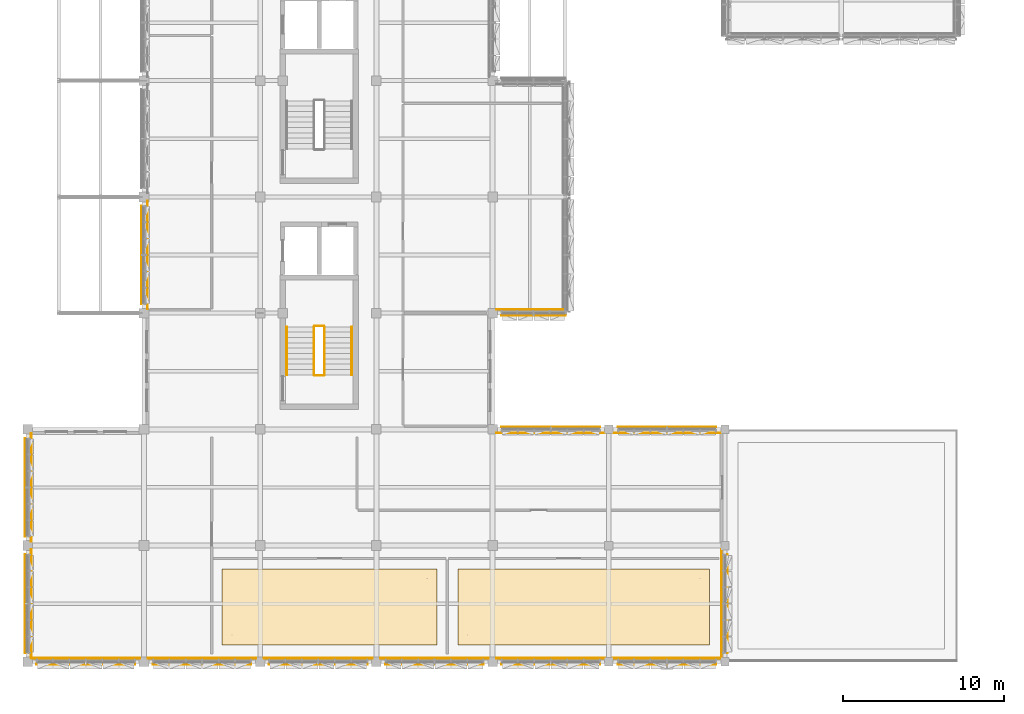
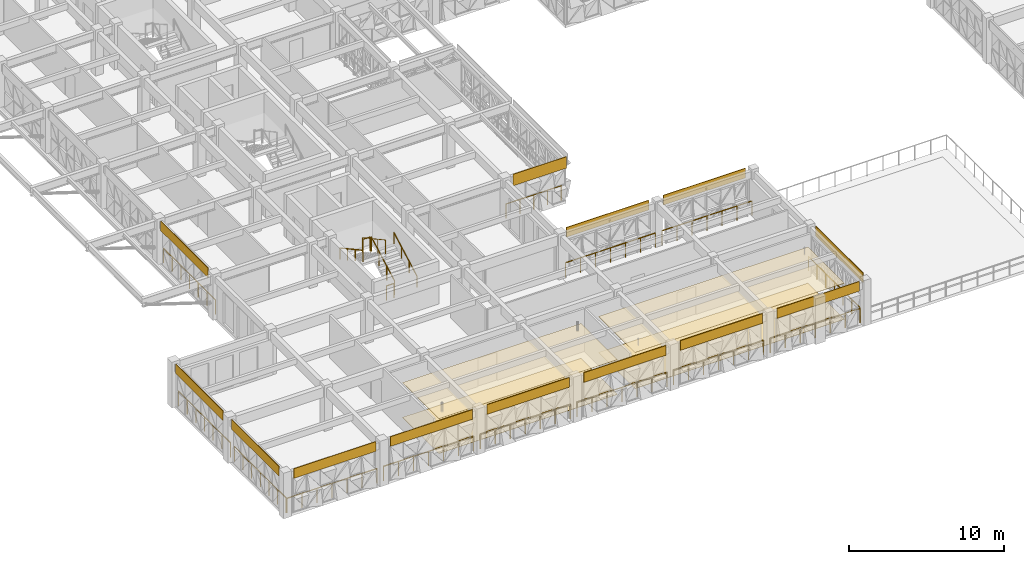
# One storey, part 78 of 99: 19 railings, 17 coverings.
"""IFC4 building model written with IfcOpenShell, lengths in metres."""

from ifc_helpers import new_model, si_unit, direction, frame, origin, origin_2d, place, context, subcontext, project, spatial, polyline, circle, outline, extrude, material, layer, layer_set, type_object, element, save


model = new_model("IFC4")

# Units and contexts
model_context = context("Model", 3, precision=1e-05, world=origin(), true_north=direction((0.0, 1.0)))
body_context = subcontext(model_context, "Body", "Model", "MODEL_VIEW")
ifc_project = project(units=[si_unit("LENGTHUNIT", "METRE"), si_unit("AREAUNIT", "SQUARE_METRE"), si_unit("VOLUMEUNIT", "CUBIC_METRE"), si_unit("PLANEANGLEUNIT", "RADIAN"), si_unit("MASSUNIT", "GRAM", prefix="KILO")], contexts=[model_context])

# Site, building, storey
site_placement = place(None, origin())
site = spatial("IfcSite", under=ifc_project, at=site_placement, CompositionType="ELEMENT")
building_placement = place(site_placement, origin())
building = spatial("IfcBuilding", under=site, at=building_placement, Name="Alvorim Cloister Faculty of Sciences", CompositionType="ELEMENT")
storey_placement = place(building_placement, frame((0.0, 0.0, 12.14990234375)))
storey = spatial("IfcBuildingStorey", under=building, at=storey_placement, Name="L03", CompositionType="ELEMENT", Elevation=12.14990234375)

# Coverings
ifc_material_1 = material(Name="Perforated Timber Acoustic Ceiling", Category="wood")
ifc_layer_1 = layer(ifc_material_1, 0.030029296875)
ifc_layer_set_1 = layer_set([ifc_layer_1], Name="Perforated Timber Acoustic Ceiling")
covering_type_1 = type_object("IfcCoveringType", Name="COV-CEIL-ACOUSTIC", PredefinedType="CEILING", material=ifc_layer_set_1)
covering_1_placement = place(storey_placement, frame((0.0, 0.0, 2.72998046875)))
element("IfcCovering", 1, at=covering_1_placement, inside=storey, type_object=covering_type_1, Name="X-Ray Diffraction Suite Acoustic Ceiling", PredefinedType="CEILING", context=body_context, shape_type="SweptSolid", body=[
    extrude(outline(polyline([(12.050048828125, 1.050048828125), (25.35009765625, 1.050048828125), (25.35009765625, 5.75), (12.050048828125, 5.75), (12.050048828125, 1.050048828125)])), origin(), (0.0, 0.0, 1.0), 0.030029296875),
])
covering_2_placement = place(storey_placement, frame((0.0, 0.0, 2.830078125)))
element("IfcCovering", 2, at=covering_2_placement, inside=storey, type_object=covering_type_1, Name="Polymer Science Laboratory Acoustic Ceiling", PredefinedType="CEILING", context=body_context, shape_type="SweptSolid", body=[
    extrude(outline(polyline([(26.64990234375, 1.050048828125), (42.25, 1.050048828125), (42.25, 5.75), (26.64990234375, 5.75), (26.64990234375, 1.050048828125)])), origin(), (0.0, 0.0, 1.0), 0.030029296875),
])
ifc_material_2 = material(Name="Anodised Aluminium Alloy 6063-T6", Category="aluminium")
ifc_layer_2 = layer(ifc_material_2, 0.031982421875)
ifc_layer_set_2 = layer_set([ifc_layer_2], Name="Anodised Aluminium Alloy 6063-T6")
covering_type_2 = type_object("IfcCoveringType", Name="COV-FAC-CAS", PredefinedType="CLADDING", material=ifc_layer_set_2)
covering_3_placement = place(storey_placement, frame((7.050048828125, 22.139892578125, 2.830078125), z_axis=(0.0, 0.0, 1.0), x_axis=(0.0, 1.0, 0.0)))
element("IfcCovering", 3, at=covering_3_placement, inside=storey, type_object=covering_type_2, Name="L03 Shifted Bar Slab-Edge Architectural Fascia", PredefinedType="CLADDING", context=body_context, shape_type="SweptSolid", body=[
    extrude(outline(polyline([(0.0, 0.0), (6.1201171875, 0.0), (6.1201171875, 0.760009765625), (0.0, 0.760009765625), (0.0, 0.0)])), frame((0.0, 0.0224609375, 0.0), z_axis=(0.0, -1.0, 0.0), x_axis=(1.0, 0.0, 0.0)), (0.0, 0.0, 1.0), 0.044921875),
])
covering_4_placement = place(storey_placement, frame((29.340087890625, 21.449951171875, 2.68603515625), z_axis=(0.0, 0.0, 1.0), x_axis=(1.0, 0.0, 0.0)))
element("IfcCovering", 4, at=covering_4_placement, inside=storey, type_object=covering_type_2, Name="L03 Shifted Bar Slab-Edge Architectural Fascia", PredefinedType="CLADDING", context=body_context, shape_type="SweptSolid", body=[
    extrude(outline(polyline([(0.0, 0.0), (3.97998046875, 0.0), (3.97998046875, 0.904052734375), (0.0, 0.904052734375), (0.0, 0.0)])), frame((0.0, 0.0224609375, 0.0), z_axis=(0.0, -1.0, 0.0), x_axis=(1.0, 0.0, 0.0)), (0.0, 0.0, 1.0), 0.044921875),
])
for number, where, z_axis, x_axis, name in (
    (5, (29.340087890625, 14.550048828125, 2.830078125), (0.0, 0.0, 1.0), (1.0, 0.0, 0.0), "L03 Shifted Bar Slab-Edge Architectural Fascia"),
    (6, (36.5400390625, 14.550048828125, 2.830078125), (0.0, 0.0, 1.0), (1.0, 0.0, 0.0), "L03 Shifted Bar Slab-Edge Architectural Fascia"),
    (7, (43.35009765625, 0.5400390625, 2.830078125), (0.0, 0.0, 1.0), (0.0, 1.0, 0.0), "L03 Shifted Bar Slab-Edge Architectural Fascia"),
    (8, (36.5400390625, -0.14990234375, 2.830078125), (0.0, 0.0, 1.0), (1.0, 0.0, 0.0), "L03 Shifted Bar Slab-Edge Architectural Fascia"),
    (9, (29.340087890625, -0.14990234375, 2.830078125), (0.0, 0.0, 1.0), (1.0, 0.0, 0.0), "L03 Shifted Bar Slab-Edge Architectural Fascia"),
    (10, (22.139892578125, -0.14990234375, 2.830078125), (0.0, 0.0, 1.0), (1.0, 0.0, 0.0), "L03 Shifted Bar Slab-Edge Architectural Fascia"),
    (11, (14.93994140625, -0.14990234375, 2.830078125), (0.0, 0.0, 1.0), (1.0, 0.0, 0.0), "L03 Shifted Bar Slab-Edge Architectural Fascia"),
    (12, (7.739990234375, -0.14990234375, 2.830078125), (0.0, 0.0, 1.0), (1.0, 0.0, 0.0), "L03 Shifted Bar Slab-Edge Architectural Fascia"),
    (13, (0.5400390625, -0.14990234375, 2.830078125), (0.0, 0.0, 1.0), (1.0, 0.0, 0.0), "L03 Shifted Bar Slab-Edge Architectural Fascia"),
    (14, (-0.14990234375, 0.5400390625, 2.830078125), (0.0, 0.0, 1.0), (0.0, 1.0, 0.0), "L03 Shifted Bar Slab-Edge Architectural Fascia"),
    (15, (-0.14990234375, 7.739990234375, 2.830078125), (0.0, 0.0, 1.0), (0.0, 1.0, 0.0), "L03 Shifted Bar Slab-Edge Architectural Fascia"),
):
    element("IfcCovering", number, at=place(storey_placement, frame(where, z_axis=z_axis, x_axis=x_axis)), inside=storey, type_object=covering_type_2, Name=name, PredefinedType="CLADDING", context=body_context, shape_type="SweptSolid", body=[
        extrude(outline(polyline([(0.0, 0.0), (6.1201171875, 0.0), (6.1201171875, 0.760009765625), (0.0, 0.760009765625), (0.0, 0.0)])), frame((0.0, 0.0224609375, 0.0), z_axis=(0.0, -1.0, 0.0), x_axis=(1.0, 0.0, 0.0)), (0.0, 0.0, 1.0), 0.044921875),
    ])
ifc_material_3 = material(Name="Chemical-Resistant Sheet Flooring", Category="polymer")
ifc_layer_3 = layer(ifc_material_3, 0.02001953125)
ifc_layer_set_3 = layer_set([ifc_layer_3], Name="Chemical-Resistant Sheet Flooring")
covering_type_3 = type_object("IfcCoveringType", Name="COV-FLR-LAB", PredefinedType="FLOORING", material=ifc_layer_set_3)
covering_5_placement = place(storey_placement, origin())
element("IfcCovering", 16, at=covering_5_placement, inside=storey, type_object=covering_type_3, Name="X-Ray Diffraction Suite Floor Finish", PredefinedType="FLOORING", context=body_context, shape_type="SweptSolid", body=[
    extrude(outline(polyline([(12.050048828125, 1.050048828125), (25.35009765625, 1.050048828125), (25.35009765625, 5.75), (12.050048828125, 5.75), (12.050048828125, 1.050048828125)])), origin(), (0.0, 0.0, 1.0), 0.02001953125),
])
covering_6_placement = place(storey_placement, origin())
element("IfcCovering", 17, at=covering_6_placement, inside=storey, type_object=covering_type_3, Name="Polymer Science Laboratory Floor Finish", PredefinedType="FLOORING", context=body_context, shape_type="SweptSolid", body=[
    extrude(outline(polyline([(26.64990234375, 1.050048828125), (42.25, 1.050048828125), (42.25, 5.75), (26.64990234375, 5.75), (26.64990234375, 1.050048828125)])), origin(), (0.0, 0.0, 1.0), 0.02001953125),
])

# Railings
ifc_material_4 = material(Name="Laminated Safety Glass and Bronze", Category="glass")
railing_type_1 = type_object("IfcRailingType", Name="RL-ATR-BAL-1150", PredefinedType="BALUSTRADE", material=ifc_material_4)
railing_1_placement = place(storey_placement, frame((7.419921875, 21.85009765625, 0.0)))
element("IfcRailing", 18, at=railing_1_placement, inside=storey, type_object=railing_type_1, Name="L03 Curtain Wall Sill Guard BL-94", PredefinedType="BALUSTRADE", context=body_context, shape_type="SweptSolid", body=[
    extrude(circle(Radius=0.02392578125, at=origin_2d()), frame((0.0, 0.0, 1.1259765625), z_axis=(0.0, 1.0, 0.0), x_axis=(-1.0, 0.0, 0.0)), (0.0, 0.0, 1.0), 6.699951171875),
    extrude(circle(Radius=0.02099609375, at=origin_2d()), origin(), (0.0, 0.0, 1.0), 1.101806640625),
    extrude(circle(Radius=0.02099609375, at=origin_2d()), frame((0.0, 1.11669921875, 0.0)), (0.0, 0.0, 1.0), 1.101806640625),
    extrude(circle(Radius=0.02099609375, at=origin_2d()), frame((0.0, 2.2333984375, 0.0)), (0.0, 0.0, 1.0), 1.101806640625),
    extrude(circle(Radius=0.02099609375, at=origin_2d()), frame((0.0, 3.35009765625, 0.0)), (0.0, 0.0, 1.0), 1.101806640625),
    extrude(circle(Radius=0.02099609375, at=origin_2d()), frame((0.0, 4.466552734375, 0.0)), (0.0, 0.0, 1.0), 1.101806640625),
    extrude(circle(Radius=0.02099609375, at=origin_2d()), frame((0.0, 5.583251953125, 0.0)), (0.0, 0.0, 1.0), 1.101806640625),
    extrude(circle(Radius=0.02099609375, at=origin_2d()), frame((0.0, 6.699951171875, 0.0)), (0.0, 0.0, 1.0), 1.101806640625),
])
railing_2_placement = place(storey_placement, frame((29.050048828125, 21.820068359375, 0.0)))
element("IfcRailing", 19, at=railing_2_placement, inside=storey, type_object=railing_type_1, Name="L03 Curtain Wall Sill Guard BL-137", PredefinedType="BALUSTRADE", context=body_context, shape_type="SweptSolid", body=[
    extrude(circle(Radius=0.02392578125, at=origin_2d()), frame((0.0, 0.0, 1.1259765625), z_axis=(1.0, 0.0, 0.0), x_axis=(0.0, 1.0, 0.0)), (0.0, 0.0, 1.0), 4.099853515625),
    extrude(circle(Radius=0.02099609375, at=origin_2d()), origin(), (0.0, 0.0, 1.0), 1.101806640625),
    extrude(circle(Radius=0.02099609375, at=origin_2d()), frame((1.02490234375, 0.0, 0.0)), (0.0, 0.0, 1.0), 1.101806640625),
    extrude(circle(Radius=0.02099609375, at=origin_2d()), frame((2.0498046875, 0.0, 0.0)), (0.0, 0.0, 1.0), 1.101806640625),
    extrude(circle(Radius=0.02099609375, at=origin_2d()), frame((3.074951171875, 0.0, 0.0)), (0.0, 0.0, 1.0), 1.101806640625),
    extrude(circle(Radius=0.02099609375, at=origin_2d()), frame((4.099853515625, 0.0, 0.0)), (0.0, 0.0, 1.0), 1.101806640625),
])
for number, where, name in (
    (20, (29.050048828125, 14.179931640625, 0.0), "L03 Curtain Wall Sill Guard BL-138"),
    (21, (36.25, 14.179931640625, 0.0), "L03 Curtain Wall Sill Guard BL-139"),
):
    element("IfcRailing", number, at=place(storey_placement, frame(where)), inside=storey, type_object=railing_type_1, Name=name, PredefinedType="BALUSTRADE", context=body_context, shape_type="SweptSolid", body=[
        extrude(circle(Radius=0.02392578125, at=origin_2d()), frame((0.0, 0.0, 1.1259765625), z_axis=(1.0, 0.0, 0.0), x_axis=(0.0, 1.0, 0.0)), (0.0, 0.0, 1.0), 6.699951171875),
        extrude(circle(Radius=0.02099609375, at=origin_2d()), origin(), (0.0, 0.0, 1.0), 1.101806640625),
        extrude(circle(Radius=0.02099609375, at=origin_2d()), frame((1.11669921875, 0.0, 0.0)), (0.0, 0.0, 1.0), 1.101806640625),
        extrude(circle(Radius=0.02099609375, at=origin_2d()), frame((2.2333984375, 0.0, 0.0)), (0.0, 0.0, 1.0), 1.101806640625),
        extrude(circle(Radius=0.02099609375, at=origin_2d()), frame((3.35009765625, 0.0, 0.0)), (0.0, 0.0, 1.0), 1.101806640625),
        extrude(circle(Radius=0.02099609375, at=origin_2d()), frame((4.466552734375, 0.0, 0.0)), (0.0, 0.0, 1.0), 1.101806640625),
        extrude(circle(Radius=0.02099609375, at=origin_2d()), frame((5.583251953125, 0.0, 0.0)), (0.0, 0.0, 1.0), 1.101806640625),
        extrude(circle(Radius=0.02099609375, at=origin_2d()), frame((6.699951171875, 0.0, 0.0)), (0.0, 0.0, 1.0), 1.101806640625),
    ])
railing_3_placement = place(storey_placement, frame((42.97998046875, 0.25, 0.0)))
element("IfcRailing", 22, at=railing_3_placement, inside=storey, type_object=railing_type_1, Name="L03 Curtain Wall Sill Guard BL-140", PredefinedType="BALUSTRADE", context=body_context, shape_type="SweptSolid", body=[
    extrude(circle(Radius=0.02392578125, at=origin_2d()), frame((0.0, 0.0, 1.1259765625), z_axis=(0.0, 1.0, 0.0), x_axis=(-1.0, 0.0, 0.0)), (0.0, 0.0, 1.0), 6.699951171875),
    extrude(circle(Radius=0.02099609375, at=origin_2d()), origin(), (0.0, 0.0, 1.0), 1.101806640625),
    extrude(circle(Radius=0.02099609375, at=origin_2d()), frame((0.0, 1.11669921875, 0.0)), (0.0, 0.0, 1.0), 1.101806640625),
    extrude(circle(Radius=0.02099609375, at=origin_2d()), frame((0.0, 2.2333984375, 0.0)), (0.0, 0.0, 1.0), 1.101806640625),
    extrude(circle(Radius=0.02099609375, at=origin_2d()), frame((0.0, 3.35009765625, 0.0)), (0.0, 0.0, 1.0), 1.101806640625),
    extrude(circle(Radius=0.02099609375, at=origin_2d()), frame((0.0, 4.466552734375, 0.0)), (0.0, 0.0, 1.0), 1.101806640625),
    extrude(circle(Radius=0.02099609375, at=origin_2d()), frame((0.0, 5.583251953125, 0.0)), (0.0, 0.0, 1.0), 1.101806640625),
    extrude(circle(Radius=0.02099609375, at=origin_2d()), frame((0.0, 6.699951171875, 0.0)), (0.0, 0.0, 1.0), 1.101806640625),
])
for number, where, name in (
    (23, (36.25, 0.219970703125, 0.0), "L03 Curtain Wall Sill Guard BL-141"),
    (24, (29.050048828125, 0.219970703125, 0.0), "L03 Curtain Wall Sill Guard BL-142"),
    (25, (21.85009765625, 0.219970703125, 0.0), "L03 Curtain Wall Sill Guard BL-143"),
):
    element("IfcRailing", number, at=place(storey_placement, frame(where)), inside=storey, type_object=railing_type_1, Name=name, PredefinedType="BALUSTRADE", context=body_context, shape_type="SweptSolid", body=[
        extrude(circle(Radius=0.02392578125, at=origin_2d()), frame((0.0, 0.0, 1.1259765625), z_axis=(1.0, 0.0, 0.0), x_axis=(0.0, 1.0, 0.0)), (0.0, 0.0, 1.0), 6.699951171875),
        extrude(circle(Radius=0.02099609375, at=origin_2d()), origin(), (0.0, 0.0, 1.0), 1.101806640625),
        extrude(circle(Radius=0.02099609375, at=origin_2d()), frame((1.11669921875, 0.0, 0.0)), (0.0, 0.0, 1.0), 1.101806640625),
        extrude(circle(Radius=0.02099609375, at=origin_2d()), frame((2.2333984375, 0.0, 0.0)), (0.0, 0.0, 1.0), 1.101806640625),
        extrude(circle(Radius=0.02099609375, at=origin_2d()), frame((3.35009765625, 0.0, 0.0)), (0.0, 0.0, 1.0), 1.101806640625),
        extrude(circle(Radius=0.02099609375, at=origin_2d()), frame((4.466552734375, 0.0, 0.0)), (0.0, 0.0, 1.0), 1.101806640625),
        extrude(circle(Radius=0.02099609375, at=origin_2d()), frame((5.583251953125, 0.0, 0.0)), (0.0, 0.0, 1.0), 1.101806640625),
        extrude(circle(Radius=0.02099609375, at=origin_2d()), frame((6.699951171875, 0.0, 0.0)), (0.0, 0.0, 1.0), 1.101806640625),
    ])
railing_4_placement = place(storey_placement, frame((14.64990234375, 0.219970703125, 0.0)))
element("IfcRailing", 26, at=railing_4_placement, inside=storey, type_object=railing_type_1, Name="L03 Curtain Wall Sill Guard BL-144", PredefinedType="BALUSTRADE", context=body_context, shape_type="SweptSolid", body=[
    extrude(circle(Radius=0.02392578125, at=origin_2d()), frame((0.0, 0.0, 1.1259765625), z_axis=(1.0, 0.0, 0.0), x_axis=(0.0, 1.0, 0.0)), (0.0, 0.0, 1.0), 6.7001953125),
    extrude(circle(Radius=0.02099609375, at=origin_2d()), origin(), (0.0, 0.0, 1.0), 1.101806640625),
    extrude(circle(Radius=0.02099609375, at=origin_2d()), frame((1.11669921875, 0.0, 0.0)), (0.0, 0.0, 1.0), 1.101806640625),
    extrude(circle(Radius=0.02099609375, at=origin_2d()), frame((2.2333984375, 0.0, 0.0)), (0.0, 0.0, 1.0), 1.101806640625),
    extrude(circle(Radius=0.02099609375, at=origin_2d()), frame((3.35009765625, 0.0, 0.0)), (0.0, 0.0, 1.0), 1.101806640625),
    extrude(circle(Radius=0.02099609375, at=origin_2d()), frame((4.466796875, 0.0, 0.0)), (0.0, 0.0, 1.0), 1.101806640625),
    extrude(circle(Radius=0.02099609375, at=origin_2d()), frame((5.58349609375, 0.0, 0.0)), (0.0, 0.0, 1.0), 1.101806640625),
    extrude(circle(Radius=0.02099609375, at=origin_2d()), frame((6.7001953125, 0.0, 0.0)), (0.0, 0.0, 1.0), 1.101806640625),
])
for number, where, name in (
    (27, (7.449951171875, 0.219970703125, 0.0), "L03 Curtain Wall Sill Guard BL-145"),
    (28, (0.25, 0.219970703125, 0.0), "L03 Curtain Wall Sill Guard BL-146"),
):
    element("IfcRailing", number, at=place(storey_placement, frame(where)), inside=storey, type_object=railing_type_1, Name=name, PredefinedType="BALUSTRADE", context=body_context, shape_type="SweptSolid", body=[
        extrude(circle(Radius=0.02392578125, at=origin_2d()), frame((0.0, 0.0, 1.1259765625), z_axis=(1.0, 0.0, 0.0), x_axis=(0.0, 1.0, 0.0)), (0.0, 0.0, 1.0), 6.699951171875),
        extrude(circle(Radius=0.02099609375, at=origin_2d()), origin(), (0.0, 0.0, 1.0), 1.101806640625),
        extrude(circle(Radius=0.02099609375, at=origin_2d()), frame((1.11669921875, 0.0, 0.0)), (0.0, 0.0, 1.0), 1.101806640625),
        extrude(circle(Radius=0.02099609375, at=origin_2d()), frame((2.2333984375, 0.0, 0.0)), (0.0, 0.0, 1.0), 1.101806640625),
        extrude(circle(Radius=0.02099609375, at=origin_2d()), frame((3.35009765625, 0.0, 0.0)), (0.0, 0.0, 1.0), 1.101806640625),
        extrude(circle(Radius=0.02099609375, at=origin_2d()), frame((4.466552734375, 0.0, 0.0)), (0.0, 0.0, 1.0), 1.101806640625),
        extrude(circle(Radius=0.02099609375, at=origin_2d()), frame((5.583251953125, 0.0, 0.0)), (0.0, 0.0, 1.0), 1.101806640625),
        extrude(circle(Radius=0.02099609375, at=origin_2d()), frame((6.699951171875, 0.0, 0.0)), (0.0, 0.0, 1.0), 1.101806640625),
    ])
for number, where, name in (
    (29, (0.219970703125, 0.25, 0.0), "L03 Curtain Wall Sill Guard BL-147"),
    (30, (0.219970703125, 7.449951171875, 0.0), "L03 Curtain Wall Sill Guard BL-148"),
):
    element("IfcRailing", number, at=place(storey_placement, frame(where)), inside=storey, type_object=railing_type_1, Name=name, PredefinedType="BALUSTRADE", context=body_context, shape_type="SweptSolid", body=[
        extrude(circle(Radius=0.02392578125, at=origin_2d()), frame((0.0, 0.0, 1.1259765625), z_axis=(0.0, 1.0, 0.0), x_axis=(-1.0, 0.0, 0.0)), (0.0, 0.0, 1.0), 6.699951171875),
        extrude(circle(Radius=0.02099609375, at=origin_2d()), origin(), (0.0, 0.0, 1.0), 1.101806640625),
        extrude(circle(Radius=0.02099609375, at=origin_2d()), frame((0.0, 1.11669921875, 0.0)), (0.0, 0.0, 1.0), 1.101806640625),
        extrude(circle(Radius=0.02099609375, at=origin_2d()), frame((0.0, 2.2333984375, 0.0)), (0.0, 0.0, 1.0), 1.101806640625),
        extrude(circle(Radius=0.02099609375, at=origin_2d()), frame((0.0, 3.35009765625, 0.0)), (0.0, 0.0, 1.0), 1.101806640625),
        extrude(circle(Radius=0.02099609375, at=origin_2d()), frame((0.0, 4.466552734375, 0.0)), (0.0, 0.0, 1.0), 1.101806640625),
        extrude(circle(Radius=0.02099609375, at=origin_2d()), frame((0.0, 5.583251953125, 0.0)), (0.0, 0.0, 1.0), 1.101806640625),
        extrude(circle(Radius=0.02099609375, at=origin_2d()), frame((0.0, 6.699951171875, 0.0)), (0.0, 0.0, 1.0), 1.101806640625),
    ])
ifc_material_5 = material(Name="Galvanised Painted Steel", Category="steel")
railing_type_2 = type_object("IfcRailingType", Name="RL-STR-GUARD", PredefinedType="GUARDRAIL", material=ifc_material_5)
railing_5_placement = place(storey_placement, frame((18.389892578125, 17.780029296875, 0.18017578125)))
element("IfcRailing", 31, at=railing_5_placement, inside=storey, type_object=railing_type_2, Name="L03 ST-01 stair guard 1", PredefinedType="GUARDRAIL", context=body_context, shape_type="SweptSolid", body=[
    extrude(circle(Radius=0.02392578125, at=origin_2d()), frame((0.0, 0.0, 1.09619140625), z_axis=(0.0, 0.877909362389, 0.478826849112), x_axis=(-1.0, 0.0, 0.0)), (0.0, 0.0, 1.0), 3.383056640625),
    extrude(circle(Radius=0.02099609375, at=origin_2d()), origin(), (0.0, 0.0, 1.0), 1.072021484375),
    extrude(circle(Radius=0.02099609375, at=origin_2d()), frame((0.0, 0.989990234375, 0.5400390625)), (0.0, 0.0, 1.0), 1.072021484375),
    extrude(circle(Radius=0.02099609375, at=origin_2d()), frame((0.0, 1.97998046875, 1.079833984375)), (0.0, 0.0, 1.0), 1.072021484375),
    extrude(circle(Radius=0.02099609375, at=origin_2d()), frame((0.0, 2.969970703125, 1.619873046875)), (0.0, 0.0, 1.0), 1.072021484375),
])
railing_6_placement = place(storey_placement, frame((18.340087890625, 20.800048828125, 1.800048828125)))
element("IfcRailing", 32, at=railing_6_placement, inside=storey, type_object=railing_type_2, Name="L03 ST-01 stair guard 2", PredefinedType="GUARDRAIL", context=body_context, shape_type="SweptSolid", body=[
    extrude(circle(Radius=0.02392578125, at=origin_2d()), frame((0.0, 0.0, 1.09619140625), z_axis=(-1.0, 0.0, 0.0), x_axis=(0.0, -1.0, 0.0)), (0.0, 0.0, 1.0), 0.56005859375),
    extrude(circle(Radius=0.02099609375, at=origin_2d()), origin(), (0.0, 0.0, 1.0), 1.072021484375),
    extrude(circle(Radius=0.02099609375, at=origin_2d()), frame((-0.56005859375, 0.0, 0.0)), (0.0, 0.0, 1.0), 1.072021484375),
])
railing_7_placement = place(storey_placement, frame((17.72998046875, 20.75, 1.97998046875)))
element("IfcRailing", 33, at=railing_7_placement, inside=storey, type_object=railing_type_2, Name="L03 ST-01 stair guard 3", PredefinedType="GUARDRAIL", context=body_context, shape_type="SweptSolid", body=[
    extrude(circle(Radius=0.02392578125, at=origin_2d()), frame((0.0, 0.0, 1.09619140625), z_axis=(0.0, -0.877879025156, 0.47888246699), x_axis=(1.0, 0.0, 0.0)), (0.0, 0.0, 1.0), 3.383056640625),
    extrude(circle(Radius=0.02099609375, at=origin_2d()), origin(), (0.0, 0.0, 1.0), 1.072021484375),
    extrude(circle(Radius=0.02099609375, at=origin_2d()), frame((0.0, -0.989990234375, 0.5400390625)), (0.0, 0.0, 1.0), 1.072021484375),
    extrude(circle(Radius=0.02099609375, at=origin_2d()), frame((0.0, -1.97998046875, 1.080078125)), (0.0, 0.0, 1.0), 1.072021484375),
    extrude(circle(Radius=0.02099609375, at=origin_2d()), frame((0.0, -2.969970703125, 1.6201171875)), (0.0, 0.0, 1.0), 1.072021484375),
])
railing_8_placement = place(storey_placement, frame((18.340087890625, 17.72998046875, 0.0)))
element("IfcRailing", 34, at=railing_8_placement, inside=storey, type_object=railing_type_2, Name="L03 ST-01 stair guard 4", PredefinedType="GUARDRAIL", context=body_context, shape_type="SweptSolid", body=[
    extrude(circle(Radius=0.02392578125, at=origin_2d()), frame((0.0, 0.0, 1.09619140625), z_axis=(-1.0, 0.0, 0.0), x_axis=(0.0, -1.0, 0.0)), (0.0, 0.0, 1.0), 0.56005859375),
    extrude(circle(Radius=0.02099609375, at=origin_2d()), origin(), (0.0, 0.0, 1.0), 1.072021484375),
    extrude(circle(Radius=0.02099609375, at=origin_2d()), frame((-0.56005859375, 0.0, 0.0)), (0.0, 0.0, 1.0), 1.072021484375),
])
ifc_material_6 = material(Name="Brushed Stainless Steel", Category="steel")
railing_type_3 = type_object("IfcRailingType", Name="RL-STR-HAND", PredefinedType="HANDRAIL", material=ifc_material_6)
railing_9_placement = place(storey_placement, frame((20.070068359375, 17.780029296875, 0.18017578125)))
element("IfcRailing", 35, at=railing_9_placement, inside=storey, type_object=railing_type_3, Name="L03 ST-01 stair handrail 1", PredefinedType="HANDRAIL", context=body_context, shape_type="SweptSolid", body=[
    extrude(circle(Radius=0.02392578125, at=origin_2d()), frame((0.0, 0.0, 0.8759765625), z_axis=(0.0, 0.877909362389, 0.478826849112), x_axis=(-1.0, 0.0, 0.0)), (0.0, 0.0, 1.0), 3.383056640625),
    extrude(circle(Radius=0.02099609375, at=origin_2d()), origin(), (0.0, 0.0, 1.0), 0.851806640625),
    extrude(circle(Radius=0.02099609375, at=origin_2d()), frame((0.0, 0.989990234375, 0.5400390625)), (0.0, 0.0, 1.0), 0.851806640625),
    extrude(circle(Radius=0.02099609375, at=origin_2d()), frame((0.0, 1.97998046875, 1.079833984375)), (0.0, 0.0, 1.0), 0.851806640625),
    extrude(circle(Radius=0.02099609375, at=origin_2d()), frame((0.0, 2.969970703125, 1.619873046875)), (0.0, 0.0, 1.0), 0.851806640625),
])
railing_10_placement = place(storey_placement, frame((16.050048828125, 20.75, 1.97998046875)))
element("IfcRailing", 36, at=railing_10_placement, inside=storey, type_object=railing_type_3, Name="L03 ST-01 stair handrail 2", PredefinedType="HANDRAIL", context=body_context, shape_type="SweptSolid", body=[
    extrude(circle(Radius=0.02392578125, at=origin_2d()), frame((0.0, 0.0, 0.8759765625), z_axis=(0.0, -0.877879025156, 0.47888246699), x_axis=(1.0, 0.0, 0.0)), (0.0, 0.0, 1.0), 3.383056640625),
    extrude(circle(Radius=0.02099609375, at=origin_2d()), origin(), (0.0, 0.0, 1.0), 0.851806640625),
    extrude(circle(Radius=0.02099609375, at=origin_2d()), frame((0.0, -0.989990234375, 0.5400390625)), (0.0, 0.0, 1.0), 0.851806640625),
    extrude(circle(Radius=0.02099609375, at=origin_2d()), frame((0.0, -1.97998046875, 1.080078125)), (0.0, 0.0, 1.0), 0.851806640625),
    extrude(circle(Radius=0.02099609375, at=origin_2d()), frame((0.0, -2.969970703125, 1.6201171875)), (0.0, 0.0, 1.0), 0.851806640625),
])

save(model, "model.ifc")
